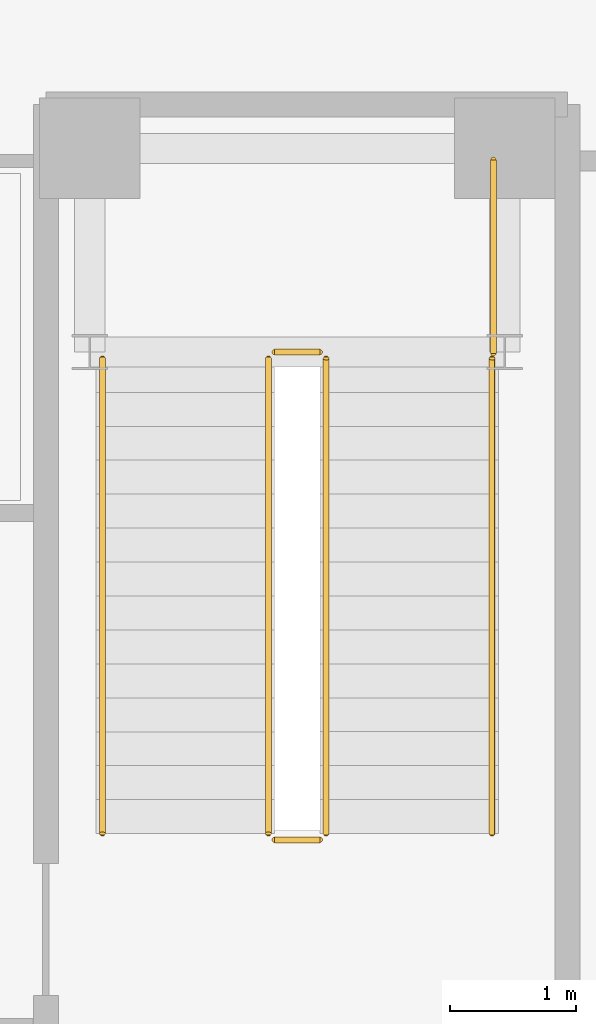
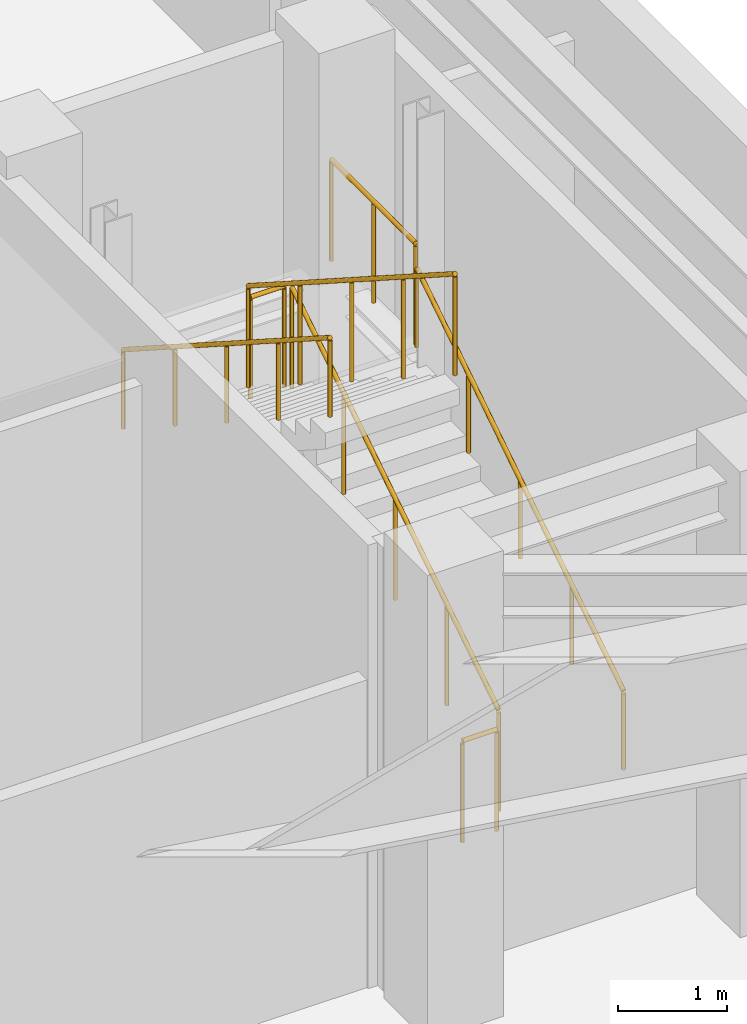
# One storey, part 27 of 27: 7 railings.
"""IFC4 building model written with IfcOpenShell, lengths in metres."""

from ifc_helpers import new_model, si_unit, direction, frame, origin, origin_2d, place, context, subcontext, project, spatial, circle, extrude, material, layer, layer_set, type_object, element, save


model = new_model("IFC4")

# Units and contexts
model_context = context("Model", 3, precision=1e-05, world=origin(), true_north=direction((0.0, 1.0)))
body_context = subcontext(model_context, "Body", "Model", "MODEL_VIEW")
ifc_project = project(units=[si_unit("LENGTHUNIT", "METRE"), si_unit("AREAUNIT", "SQUARE_METRE"), si_unit("VOLUMEUNIT", "CUBIC_METRE"), si_unit("PLANEANGLEUNIT", "RADIAN"), si_unit("MASSUNIT", "GRAM", prefix="KILO")], contexts=[model_context])

# Site, building, storey
site_placement = place(None, origin())
site = spatial("IfcSite", under=ifc_project, at=site_placement, CompositionType="ELEMENT")
building_placement = place(site_placement, origin())
building = spatial("IfcBuilding", under=site, at=building_placement, Name="Terralouvre Media Tower", CompositionType="ELEMENT")
storey_placement = place(building_placement, frame((0.0, 0.0, 5.199951171875)))
storey = spatial("IfcBuildingStorey", under=building, at=storey_placement, Name="L01", CompositionType="ELEMENT", Elevation=5.199951171875)

# Railings
ifc_material_1 = material(Name="Stainless steel 316 handrail and balustrade", Category="steel")
ifc_layer_1 = layer(ifc_material_1, 0.050048828125, Name="Stair Flight Wall Handrail HR-INT1")
ifc_layer_set_1 = layer_set([ifc_layer_1], Name="Stainless steel 316 handrail and balustrade")
railing_type_1 = type_object("IfcRailingType", Name="Stair Flight Wall Handrail HR-INT1", PredefinedType="HANDRAIL", material=ifc_layer_set_1)
railing_1_placement = place(storey_placement, frame((34.14990234375, 5.85009765625, 0.17333984375)))
element("IfcRailing", 1, at=railing_1_placement, inside=storey, type_object=railing_type_1, Name="L01 ST-04 stair handrail 1", PredefinedType="HANDRAIL", context=body_context, shape_type="SweptSolid", body=[
    extrude(circle(Radius=0.02392578125, at=origin_2d()), frame((0.0, 0.0, 0.8759765625), z_axis=(0.0, 0.841492677865, 0.540268519441), x_axis=(-1.0, 0.0, 0.0)), (0.0, 0.0, 1.0), 4.49169921875),
    extrude(circle(Radius=0.02099609375, at=origin_2d()), origin(), (0.0, 0.0, 1.0), 0.851806640625),
    extrude(circle(Radius=0.02099609375, at=origin_2d()), frame((0.0, 0.94482421875, 0.606689453125)), (0.0, 0.0, 1.0), 0.851806640625),
    extrude(circle(Radius=0.02099609375, at=origin_2d()), frame((0.0, 1.889892578125, 1.21337890625)), (0.0, 0.0, 1.0), 0.851806640625),
    extrude(circle(Radius=0.02099609375, at=origin_2d()), frame((0.0, 2.8349609375, 1.820068359375)), (0.0, 0.0, 1.0), 0.851806640625),
    extrude(circle(Radius=0.02099609375, at=origin_2d()), frame((0.0, 3.77978515625, 2.4267578125)), (0.0, 0.0, 1.0), 0.851806640625),
])
railing_2_placement = place(storey_placement, frame((31.050048828125, 9.6298828125, 2.7734375)))
element("IfcRailing", 2, at=railing_2_placement, inside=storey, type_object=railing_type_1, Name="L01 ST-04 stair handrail 2", PredefinedType="HANDRAIL", context=body_context, shape_type="SweptSolid", body=[
    extrude(circle(Radius=0.02392578125, at=origin_2d()), frame((0.0, 0.0, 0.8759765625), z_axis=(0.0, -0.84151738831, 0.540230029868), x_axis=(1.0, 0.0, 0.0)), (0.0, 0.0, 1.0), 4.49169921875),
    extrude(circle(Radius=0.02099609375, at=origin_2d()), origin(), (0.0, 0.0, 1.0), 0.851806640625),
    extrude(circle(Radius=0.02099609375, at=origin_2d()), frame((0.0, -0.94482421875, 0.606689453125)), (0.0, 0.0, 1.0), 0.851806640625),
    extrude(circle(Radius=0.02099609375, at=origin_2d()), frame((0.0, -1.889892578125, 1.21337890625)), (0.0, 0.0, 1.0), 0.851806640625),
    extrude(circle(Radius=0.02099609375, at=origin_2d()), frame((0.0, -2.8349609375, 1.81982421875)), (0.0, 0.0, 1.0), 0.851806640625),
    extrude(circle(Radius=0.02099609375, at=origin_2d()), frame((0.0, -3.77978515625, 2.426513671875)), (0.0, 0.0, 1.0), 0.851806640625),
])
ifc_material_2 = material(Name="Stainless steel 316 handrail and balustrade", Category="steel")
ifc_layer_2 = layer(ifc_material_2, 0.050048828125, Name="Stairwell Safety Guardrail GR-INT1")
ifc_layer_set_2 = layer_set([ifc_layer_2], Name="Stainless steel 316 handrail and balustrade")
railing_type_2 = type_object("IfcRailingType", Name="Stairwell Safety Guardrail GR-INT1", PredefinedType="GUARDRAIL", material=ifc_layer_set_2)
railing_3_placement = place(storey_placement, frame((32.830078125, 5.85009765625, 0.17333984375)))
element("IfcRailing", 3, at=railing_3_placement, inside=storey, type_object=railing_type_2, Name="L01 ST-04 stair guard 1", PredefinedType="GUARDRAIL", context=body_context, shape_type="SweptSolid", body=[
    extrude(circle(Radius=0.02392578125, at=origin_2d()), frame((0.0, 0.0, 1.1259765625), z_axis=(0.0, 0.841492677865, 0.540268519441), x_axis=(-1.0, 0.0, 0.0)), (0.0, 0.0, 1.0), 4.49169921875),
    extrude(circle(Radius=0.02099609375, at=origin_2d()), origin(), (0.0, 0.0, 1.0), 1.101806640625),
    extrude(circle(Radius=0.02099609375, at=origin_2d()), frame((0.0, 0.94482421875, 0.606689453125)), (0.0, 0.0, 1.0), 1.101806640625),
    extrude(circle(Radius=0.02099609375, at=origin_2d()), frame((0.0, 1.889892578125, 1.21337890625)), (0.0, 0.0, 1.0), 1.101806640625),
    extrude(circle(Radius=0.02099609375, at=origin_2d()), frame((0.0, 2.8349609375, 1.820068359375)), (0.0, 0.0, 1.0), 1.101806640625),
    extrude(circle(Radius=0.02099609375, at=origin_2d()), frame((0.0, 3.77978515625, 2.4267578125)), (0.0, 0.0, 1.0), 1.101806640625),
])
railing_4_placement = place(storey_placement, frame((32.780029296875, 9.679931640625, 2.60009765625)))
element("IfcRailing", 4, at=railing_4_placement, inside=storey, type_object=railing_type_2, Name="L01 ST-04 stair guard 2", PredefinedType="GUARDRAIL", context=body_context, shape_type="SweptSolid", body=[
    extrude(circle(Radius=0.02392578125, at=origin_2d()), frame((0.0, 0.0, 1.1259765625), z_axis=(-1.0, 0.0, 0.0), x_axis=(0.0, -1.0, 0.0)), (0.0, 0.0, 1.0), 0.360107421875),
    extrude(circle(Radius=0.02099609375, at=origin_2d()), origin(), (0.0, 0.0, 1.0), 1.101806640625),
    extrude(circle(Radius=0.02099609375, at=origin_2d()), frame((-0.360107421875, 0.0, 0.0)), (0.0, 0.0, 1.0), 1.101806640625),
])
railing_5_placement = place(storey_placement, frame((32.3701171875, 9.6298828125, 2.7734375)))
element("IfcRailing", 5, at=railing_5_placement, inside=storey, type_object=railing_type_2, Name="L01 ST-04 stair guard 3", PredefinedType="GUARDRAIL", context=body_context, shape_type="SweptSolid", body=[
    extrude(circle(Radius=0.02392578125, at=origin_2d()), frame((0.0, 0.0, 1.1259765625), z_axis=(0.0, -0.84151738831, 0.540230029868), x_axis=(1.0, 0.0, 0.0)), (0.0, 0.0, 1.0), 4.49169921875),
    extrude(circle(Radius=0.02099609375, at=origin_2d()), origin(), (0.0, 0.0, 1.0), 1.101806640625),
    extrude(circle(Radius=0.02099609375, at=origin_2d()), frame((0.0, -0.94482421875, 0.606689453125)), (0.0, 0.0, 1.0), 1.101806640625),
    extrude(circle(Radius=0.02099609375, at=origin_2d()), frame((0.0, -1.889892578125, 1.21337890625)), (0.0, 0.0, 1.0), 1.101806640625),
    extrude(circle(Radius=0.02099609375, at=origin_2d()), frame((0.0, -2.8349609375, 1.81982421875)), (0.0, 0.0, 1.0), 1.101806640625),
    extrude(circle(Radius=0.02099609375, at=origin_2d()), frame((0.0, -3.77978515625, 2.426513671875)), (0.0, 0.0, 1.0), 1.101806640625),
])
railing_6_placement = place(storey_placement, frame((32.780029296875, 5.800048828125, 0.0)))
element("IfcRailing", 6, at=railing_6_placement, inside=storey, type_object=railing_type_2, Name="L01 ST-04 stair guard 4", PredefinedType="GUARDRAIL", context=body_context, shape_type="SweptSolid", body=[
    extrude(circle(Radius=0.02392578125, at=origin_2d()), frame((0.0, 0.0, 1.1259765625), z_axis=(-1.0, 0.0, 0.0), x_axis=(0.0, -1.0, 0.0)), (0.0, 0.0, 1.0), 0.360107421875),
    extrude(circle(Radius=0.02099609375, at=origin_2d()), origin(), (0.0, 0.0, 1.0), 1.101806640625),
    extrude(circle(Radius=0.02099609375, at=origin_2d()), frame((-0.360107421875, 0.0, 0.0)), (0.0, 0.0, 1.0), 1.101806640625),
])
railing_7_placement = place(storey_placement, frame((34.159912109375, 9.669921875, 2.60009765625)))
element("IfcRailing", 7, at=railing_7_placement, inside=storey, type_object=railing_type_2, Name="L01 ST-04 Half-Landing Outer Guardrail", PredefinedType="GUARDRAIL", context=body_context, shape_type="SweptSolid", body=[
    extrude(circle(Radius=0.02392578125, at=origin_2d()), frame((0.0, 0.0, 1.1259765625), z_axis=(0.0, 1.0, 0.0), x_axis=(-1.0, 0.0, 0.0)), (0.0, 0.0, 1.0), 1.5400390625),
    extrude(circle(Radius=0.02099609375, at=origin_2d()), origin(), (0.0, 0.0, 1.0), 1.101806640625),
    extrude(circle(Radius=0.02099609375, at=origin_2d()), frame((0.0, 0.77001953125, 0.0)), (0.0, 0.0, 1.0), 1.101806640625),
    extrude(circle(Radius=0.02099609375, at=origin_2d()), frame((0.0, 1.5400390625, 0.0)), (0.0, 0.0, 1.0), 1.101806640625),
])

save(model, "model.ifc")
